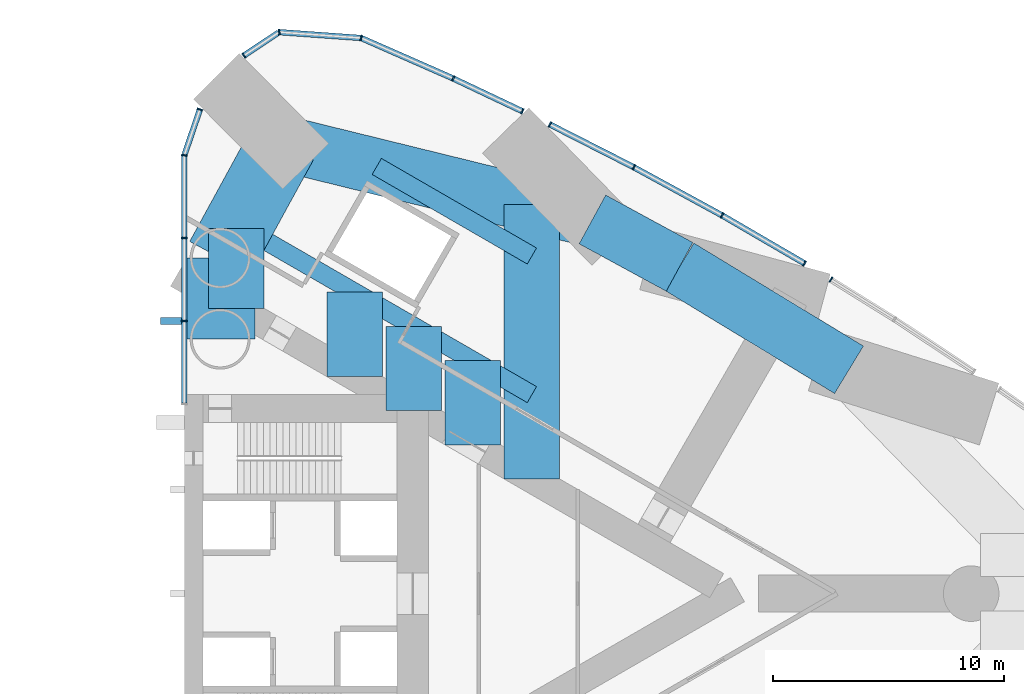
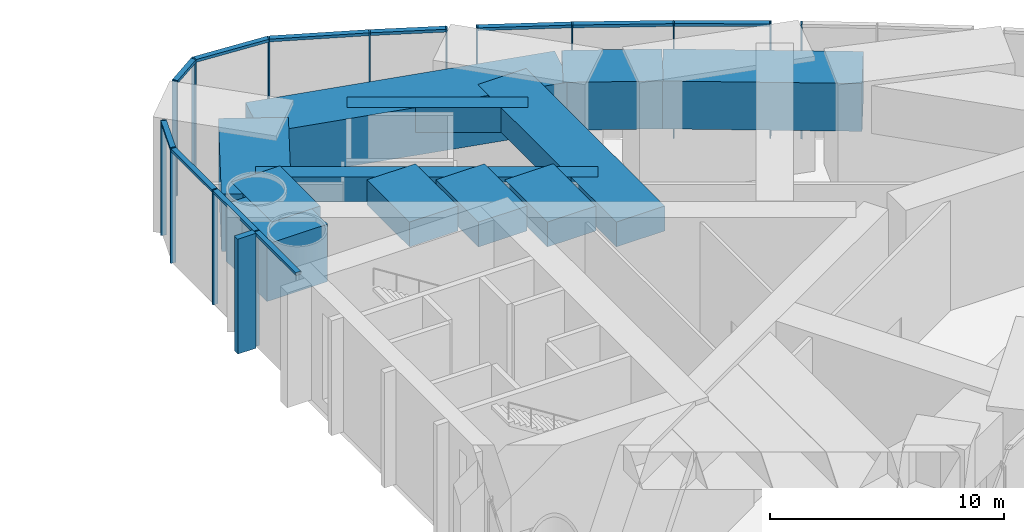
# One storey, part 7 of 16: 26 members, 12 beams, 4 elements without a shape of their own.
"""IFC4 building model written with IfcOpenShell, lengths in metres."""

from ifc_helpers import new_model, si_unit, direction, frame, origin, origin_2d, place, context, subcontext, project, spatial, rectangle, hollow_rectangle, extrude, material, material_profile, profile_set, type_object, element, aggregate, save


model = new_model("IFC4")

# Units and contexts
model_context = context("Model", 3, precision=1e-05, world=origin(), true_north=direction((0.0, 1.0)))
body_context = subcontext(model_context, "Body", "Model", "MODEL_VIEW")
ifc_project = project(units=[si_unit("LENGTHUNIT", "METRE"), si_unit("AREAUNIT", "SQUARE_METRE"), si_unit("VOLUMEUNIT", "CUBIC_METRE"), si_unit("PLANEANGLEUNIT", "RADIAN"), si_unit("MASSUNIT", "GRAM", prefix="KILO")], contexts=[model_context])

# Site, building, storey
site_placement = place(None, origin())
site = spatial("IfcSite", under=ifc_project, at=site_placement, CompositionType="ELEMENT")
building_placement = place(site_placement, origin())
building = spatial("IfcBuilding", under=site, at=building_placement, Name="Lancet Gate Hotel", CompositionType="ELEMENT")
storey_placement = place(building_placement, frame((0.0, 0.0, 146.699951171875)))
storey = spatial("IfcBuildingStorey", under=building, at=storey_placement, Name="L39", CompositionType="ELEMENT", Elevation=146.699951171875)

# Curtain wall, member
ifc_material_1 = material(Name="Aluminium curtain wall", Category="aluminium")
curtain_wall_type = type_object("IfcCurtainWallType", Name="Refuge storey louvred curtain wall", PredefinedType="USERDEFINED", material=ifc_material_1)
curtain_wall_1_placement = place(storey_placement, origin())
curtain_wall_1 = element("IfcCurtainWall", 1, at=curtain_wall_1_placement, inside=storey, type_object=curtain_wall_type, Name="T2 L39 curtain wall 7", ObjectType="LANTERN GLAZING", PredefinedType="USERDEFINED")
ifc_material_2 = material(Name="Aluminium mullion", Category="aluminium")
ifc_material_profile_1 = material_profile(ifc_material_2, rectangle(XDim=0.06494140625, YDim=0.25, at=origin_2d()), Name="MULLION 65x250")
ifc_profile_set_1 = profile_set([ifc_material_profile_1], Name="Aluminium mullion")
member_type_1 = type_object("IfcMemberType", Name="Aluminium mullion 65x250", PredefinedType="MULLION", material=ifc_profile_set_1)
member_1_placement = place(storey_placement, frame((55.4375, 13.5703125, 0.0), z_axis=(0.0, 0.0, 1.0), x_axis=(-0.849317759497, 0.527881940781, 0.0)))
member_1 = element("IfcMember", 2, at=member_1_placement, type_object=member_type_1, Name="T2 L39 curtain wall 7 mullion 3", PredefinedType="MULLION", context=body_context, shape_type="SweptSolid", body=[
    extrude(rectangle(XDim=0.06494140625, YDim=0.25, at=origin_2d()), origin(), (0.0, 0.0, 1.0), 6.0),
])
aggregate(curtain_wall_1, [member_1])

# Curtain wall, members
curtain_wall_2_placement = place(storey_placement, origin())
curtain_wall_2 = element("IfcCurtainWall", 3, at=curtain_wall_2_placement, inside=storey, type_object=curtain_wall_type, Name="T2 L39 curtain wall 8", ObjectType="LANTERN GLAZING", PredefinedType="USERDEFINED")
member_2_placement = place(storey_placement, frame((54.301513671875, 14.268798828125, 0.0), z_axis=(0.0, 0.0, 1.0), x_axis=(-0.863965543499, 0.503550930538, 0.0)))
member_2 = element("IfcMember", 4, at=member_2_placement, type_object=member_type_1, Name="T2 L39 curtain wall 8 mullion 1", PredefinedType="MULLION", context=body_context, shape_type="SweptSolid", body=[
    extrude(rectangle(XDim=0.06494140625, YDim=0.25, at=origin_2d()), origin(), (0.0, 0.0, 1.0), 6.0),
])
member_3_placement = place(storey_placement, frame((50.740478515625, 16.344482421875, 0.0), z_axis=(0.0, 0.0, 1.0), x_axis=(-0.871214532544, 0.490902473292, 0.0)))
member_3 = element("IfcMember", 5, at=member_3_placement, type_object=member_type_1, Name="T2 L39 curtain wall 8 mullion 2", PredefinedType="MULLION", context=body_context, shape_type="SweptSolid", body=[
    extrude(rectangle(XDim=0.06494140625, YDim=0.25, at=origin_2d()), origin(), (0.0, 0.0, 1.0), 6.0),
])
member_4_placement = place(storey_placement, frame((46.923828125, 18.426025390625, 0.0), z_axis=(0.0, 0.0, 1.0), x_axis=(-0.884411005787, 0.466708873757, 0.0)))
member_4 = element("IfcMember", 6, at=member_4_placement, type_object=member_type_1, Name="T2 L39 curtain wall 8 mullion 3", PredefinedType="MULLION", context=body_context, shape_type="SweptSolid", body=[
    extrude(rectangle(XDim=0.06494140625, YDim=0.25, at=origin_2d()), origin(), (0.0, 0.0, 1.0), 6.0),
])
member_5_placement = place(storey_placement, frame((43.29443359375, 20.273681640625, 0.0), z_axis=(0.0, 0.0, 1.0), x_axis=(-0.891159350462, 0.453690436403, 0.0)))
member_5 = element("IfcMember", 7, at=member_5_placement, type_object=member_type_1, Name="T2 L39 curtain wall 8 mullion 4", PredefinedType="MULLION", context=body_context, shape_type="SweptSolid", body=[
    extrude(rectangle(XDim=0.06494140625, YDim=0.25, at=origin_2d()), origin(), (0.0, 0.0, 1.0), 6.0),
])

curtain_wall_3_placement = place(storey_placement, origin())
curtain_wall_3 = element("IfcCurtainWall", 8, at=curtain_wall_3_placement, inside=storey, type_object=curtain_wall_type, Name="T2 L39 curtain wall 9", ObjectType="LANTERN GLAZING", PredefinedType="USERDEFINED")
member_6_placement = place(storey_placement, frame((42.10986328125, 20.843505859375, 0.0), z_axis=(0.0, 0.0, 1.0), x_axis=(-0.903683440096, 0.428201167789, 0.0)))
member_6 = element("IfcMember", 9, at=member_6_placement, type_object=member_type_1, Name="T2 L39 curtain wall 9 mullion 1", PredefinedType="MULLION", context=body_context, shape_type="SweptSolid", body=[
    extrude(rectangle(XDim=0.06494140625, YDim=0.25, at=origin_2d()), origin(), (0.0, 0.0, 1.0), 6.0),
])
member_7_placement = place(storey_placement, frame((39.12109375, 22.259765625, 0.0), z_axis=(0.0, 0.0, 1.0), x_axis=(-0.91047251067, 0.413569591864, 0.0)))
member_7 = element("IfcMember", 10, at=member_7_placement, type_object=member_type_1, Name="T2 L39 curtain wall 9 mullion 2", PredefinedType="MULLION", context=body_context, shape_type="SweptSolid", body=[
    extrude(rectangle(XDim=0.06494140625, YDim=0.25, at=origin_2d()), origin(), (0.0, 0.0, 1.0), 6.0),
])
member_8_placement = place(storey_placement, frame((35.141357421875, 24.009033203125, 0.0), z_axis=(0.0, 0.0, 1.0), x_axis=(-0.966317378791, 0.257353304711, 0.0)))
member_8 = element("IfcMember", 11, at=member_8_placement, type_object=member_type_1, Name="T2 L39 curtain wall 9 mullion 3", PredefinedType="MULLION", context=body_context, shape_type="SweptSolid", body=[
    extrude(rectangle(XDim=0.06494140625, YDim=0.25, at=origin_2d()), origin(), (0.0, 0.0, 1.0), 6.0),
])
member_9_placement = place(storey_placement, frame((31.60205078125, 24.26220703125, 0.0), z_axis=(0.0, 0.0, 1.0), x_axis=(-0.988919080687, -0.148455555147, 0.0)))
member_9 = element("IfcMember", 12, at=member_9_placement, type_object=member_type_1, Name="T2 L39 curtain wall 9 mullion 4", PredefinedType="MULLION", context=body_context, shape_type="SweptSolid", body=[
    extrude(rectangle(XDim=0.06494140625, YDim=0.25, at=origin_2d()), origin(), (0.0, 0.0, 1.0), 6.0),
])
member_10_placement = place(storey_placement, frame((30.072021484375, 23.248046875, 0.0), z_axis=(0.0, 0.0, 1.0), x_axis=(-0.833464516611, -0.552572981198, 0.0)))
member_10 = element("IfcMember", 13, at=member_10_placement, type_object=member_type_1, Name="T2 L39 curtain wall 9 mullion 5", PredefinedType="MULLION", context=body_context, shape_type="SweptSolid", body=[
    extrude(rectangle(XDim=0.06494140625, YDim=0.25, at=origin_2d()), origin(), (0.0, 0.0, 1.0), 6.0),
])

curtain_wall_4_placement = place(storey_placement, origin())
curtain_wall_4 = element("IfcCurtainWall", 14, at=curtain_wall_4_placement, inside=storey, type_object=curtain_wall_type, Name="T2 L39 curtain wall 10", ObjectType="LANTERN GLAZING", PredefinedType="USERDEFINED")
member_11_placement = place(storey_placement, frame((28.176025390625, 20.927001953125, 0.0), z_axis=(0.0, 0.0, 1.0), x_axis=(-0.32257568891, -0.946543673015, 0.0)))
member_11 = element("IfcMember", 15, at=member_11_placement, type_object=member_type_1, Name="T2 L39 curtain wall 10 mullion 1", PredefinedType="MULLION", context=body_context, shape_type="SweptSolid", body=[
    extrude(rectangle(XDim=0.06494140625, YDim=0.25, at=origin_2d()), origin(), (0.0, 0.0, 1.0), 6.0),
])
member_12_placement = place(storey_placement, frame((27.5, 18.94287109375, 0.0), z_axis=(0.0, 0.0, 1.0), x_axis=(-0.120612385023, -0.992699678946, 0.0)))
member_12 = element("IfcMember", 16, at=member_12_placement, type_object=member_type_1, Name="T2 L39 curtain wall 10 mullion 2", PredefinedType="MULLION", context=body_context, shape_type="SweptSolid", body=[
    extrude(rectangle(XDim=0.06494140625, YDim=0.25, at=origin_2d()), origin(), (0.0, 0.0, 1.0), 6.0),
])
member_13_placement = place(storey_placement, frame((27.5, 15.362060546875, 0.0), z_axis=(0.0, 0.0, 1.0), x_axis=(0.0, -1.0, 0.0)))
member_13 = element("IfcMember", 17, at=member_13_placement, type_object=member_type_1, Name="T2 L39 curtain wall 10 mullion 3", PredefinedType="MULLION", context=body_context, shape_type="SweptSolid", body=[
    extrude(rectangle(XDim=0.06494140625, YDim=0.25, at=origin_2d()), origin(), (0.0, 0.0, 1.0), 6.0),
])
member_14_placement = place(storey_placement, frame((27.5, 11.781005859375, 0.0), z_axis=(0.0, 0.0, 1.0), x_axis=(0.0, -1.0, 0.0)))
member_14 = element("IfcMember", 18, at=member_14_placement, type_object=member_type_1, Name="T2 L39 curtain wall 10 mullion 4", PredefinedType="MULLION", context=body_context, shape_type="SweptSolid", body=[
    extrude(rectangle(XDim=0.06494140625, YDim=0.25, at=origin_2d()), origin(), (0.0, 0.0, 1.0), 6.0),
])

# Member
ifc_material_3 = material(Name="Aluminium transom", Category="aluminium")
ifc_material_profile_2 = material_profile(ifc_material_3, rectangle(XDim=0.25, YDim=0.14990234375, at=origin_2d()), Name="TRANSOM 250x150")
ifc_profile_set_2 = profile_set([ifc_material_profile_2], Name="Aluminium transom")
member_type_2 = type_object("IfcMemberType", Name="Aluminium transom 250x150", PredefinedType="USERDEFINED", material=ifc_profile_set_2)
member_15_placement = place(storey_placement, frame((54.2734375, 14.28515625, 5.925048828125), z_axis=(-0.8639709212, 0.503541703656, 0.0), x_axis=(-0.503541703656, -0.8639709212, 0.0)))
member_15 = element("IfcMember", 19, at=member_15_placement, type_object=member_type_2, Name="T2 L39 curtain wall 8 transom 1", ObjectType="TRANSOM", PredefinedType="USERDEFINED", context=body_context, shape_type="SweptSolid", body=[
    extrude(rectangle(XDim=0.25, YDim=0.14990234375, at=origin_2d()), origin(), (0.0, 0.0, 1.0), 4.056640625),
])

member_16_placement = place(storey_placement, frame((50.7119140625, 16.35986328125, 5.925048828125), z_axis=(-0.877906466435, 0.478832158685, 0.0), x_axis=(-0.478832158685, -0.877906466435, 0.0)))
member_16 = element("IfcMember", 20, at=member_16_placement, type_object=member_type_2, Name="T2 L39 curtain wall 8 transom 2", ObjectType="TRANSOM", PredefinedType="USERDEFINED", context=body_context, shape_type="SweptSolid", body=[
    extrude(rectangle(XDim=0.25, YDim=0.14990234375, at=origin_2d()), origin(), (0.0, 0.0, 1.0), 4.282470703125),
])

member_17_placement = place(storey_placement, frame((46.89501953125, 18.440673828125, 5.925048828125), z_axis=(-0.891175206203, 0.453659290491, 0.0), x_axis=(-0.453659290491, -0.891175206203, 0.0)))
member_17 = element("IfcMember", 21, at=member_17_placement, type_object=member_type_2, Name="T2 L39 curtain wall 8 transom 3", ObjectType="TRANSOM", PredefinedType="USERDEFINED", context=body_context, shape_type="SweptSolid", body=[
    extrude(rectangle(XDim=0.25, YDim=0.14990234375, at=origin_2d()), origin(), (0.0, 0.0, 1.0), 4.007568359375),
])

aggregate(curtain_wall_2, [member_2, member_3, member_4, member_5, member_15, member_16, member_17])

member_18_placement = place(storey_placement, frame((42.08056640625, 20.857421875, 5.925048828125), z_axis=(-0.903670364691, 0.42822876127, 0.0), x_axis=(-0.42822876127, -0.903670364691, 0.0)))
member_18 = element("IfcMember", 22, at=member_18_placement, type_object=member_type_2, Name="T2 L39 curtain wall 9 transom 1", ObjectType="TRANSOM", PredefinedType="USERDEFINED", context=body_context, shape_type="SweptSolid", body=[
    extrude(rectangle(XDim=0.25, YDim=0.14990234375, at=origin_2d()), origin(), (0.0, 0.0, 1.0), 3.2421875),
])

member_19_placement = place(storey_placement, frame((39.09130859375, 22.27294921875, 5.925048828125), z_axis=(-0.915484772266, 0.402352621155, 0.0), x_axis=(-0.402352621155, -0.915484772266, 0.0)))
member_19 = element("IfcMember", 23, at=member_19_placement, type_object=member_type_2, Name="T2 L39 curtain wall 9 transom 2", ObjectType="TRANSOM", PredefinedType="USERDEFINED", context=body_context, shape_type="SweptSolid", body=[
    extrude(rectangle(XDim=0.25, YDim=0.14990234375, at=origin_2d()), origin(), (0.0, 0.0, 1.0), 4.281982421875),
])

member_20_placement = place(storey_placement, frame((35.10888671875, 24.01123046875, 5.925048828125), z_axis=(-0.997446232115, 0.071421383636, 0.0), x_axis=(-0.071421383636, -0.997446232115, 0.0)))
member_20 = element("IfcMember", 24, at=member_20_placement, type_object=member_type_2, Name="T2 L39 curtain wall 9 transom 3", ObjectType="TRANSOM", PredefinedType="USERDEFINED", context=body_context, shape_type="SweptSolid", body=[
    extrude(rectangle(XDim=0.25, YDim=0.14990234375, at=origin_2d()), origin(), (0.0, 0.0, 1.0), 3.483154296875),
])

member_21_placement = place(storey_placement, frame((31.574951171875, 24.244384765625, 5.925048828125), z_axis=(-0.833447594592, -0.552598504404, 0.0), x_axis=(0.552598504404, -0.833447594592, 0.0)))
member_21 = element("IfcMember", 25, at=member_21_placement, type_object=member_type_2, Name="T2 L39 curtain wall 9 transom 4", ObjectType="TRANSOM", PredefinedType="USERDEFINED", context=body_context, shape_type="SweptSolid", body=[
    extrude(rectangle(XDim=0.25, YDim=0.14990234375, at=origin_2d()), origin(), (0.0, 0.0, 1.0), 1.770751953125),
])

aggregate(curtain_wall_3, [member_6, member_7, member_8, member_9, member_10, member_18, member_19, member_20, member_21])

member_22_placement = place(storey_placement, frame((28.165771484375, 20.896240234375, 5.925048828125), z_axis=(-0.322602955748, -0.946534380222, 0.0), x_axis=(0.946534380222, -0.322602955748, 0.0)))
member_22 = element("IfcMember", 26, at=member_22_placement, type_object=member_type_2, Name="T2 L39 curtain wall 10 transom 1", ObjectType="TRANSOM", PredefinedType="USERDEFINED", context=body_context, shape_type="SweptSolid", body=[
    extrude(rectangle(XDim=0.25, YDim=0.14990234375, at=origin_2d()), origin(), (0.0, 0.0, 1.0), 2.03125),
])

member_23_placement = place(storey_placement, frame((27.5, 18.910400390625, 5.925048828125), z_axis=(0.0, -1.0, 0.0), x_axis=(1.0, 0.0, 0.0)))
member_23 = element("IfcMember", 27, at=member_23_placement, type_object=member_type_2, Name="T2 L39 curtain wall 10 transom 2", ObjectType="TRANSOM", PredefinedType="USERDEFINED", context=body_context, shape_type="SweptSolid", body=[
    extrude(rectangle(XDim=0.25, YDim=0.14990234375, at=origin_2d()), origin(), (0.0, 0.0, 1.0), 3.515869140625),
])

member_24_placement = place(storey_placement, frame((27.5, 15.329345703125, 5.925048828125), z_axis=(0.0, -1.0, 0.0), x_axis=(1.0, 0.0, 0.0)))
member_24 = element("IfcMember", 28, at=member_24_placement, type_object=member_type_2, Name="T2 L39 curtain wall 10 transom 3", ObjectType="TRANSOM", PredefinedType="USERDEFINED", context=body_context, shape_type="SweptSolid", body=[
    extrude(rectangle(XDim=0.25, YDim=0.14990234375, at=origin_2d()), origin(), (0.0, 0.0, 1.0), 3.515869140625),
])

member_25_placement = place(storey_placement, frame((27.5, 11.74853515625, 5.925048828125), z_axis=(0.0, -1.0, 0.0), x_axis=(1.0, 0.0, 0.0)))
member_25 = element("IfcMember", 29, at=member_25_placement, type_object=member_type_2, Name="T2 L39 curtain wall 10 transom 4", ObjectType="TRANSOM", PredefinedType="USERDEFINED", context=body_context, shape_type="SweptSolid", body=[
    extrude(rectangle(XDim=0.25, YDim=0.14990234375, at=origin_2d()), origin(), (0.0, 0.0, 1.0), 3.51611328125),
])

ifc_material_4 = material(Name="Precast concrete C50/60", Category="concrete")
ifc_material_profile_3 = material_profile(ifc_material_4, rectangle(XDim=0.300048828125, YDim=0.89990234375, at=origin_2d()), Name="FIN 300x900")
ifc_profile_set_3 = profile_set([ifc_material_profile_3], Name="Precast concrete C50/60")
member_type_3 = type_object("IfcMemberType", Name="Exposed concrete fin 300x900", PredefinedType="USERDEFINED", material=ifc_profile_set_3)
member_26_placement = place(storey_placement, frame((26.925048828125, 11.781005859375, 0.0), z_axis=(0.0, 0.0, 1.0), x_axis=(0.0, -1.0, 0.0)))
member_26 = element("IfcMember", 30, at=member_26_placement, type_object=member_type_3, Name="T2 L39 curtain wall 10 fin 4", ObjectType="FIN", PredefinedType="USERDEFINED", context=body_context, shape_type="SweptSolid", body=[
    extrude(rectangle(XDim=0.300048828125, YDim=0.89990234375, at=origin_2d()), origin(), (0.0, 0.0, 1.0), 6.0),
])

aggregate(curtain_wall_4, [member_11, member_12, member_13, member_14, member_26, member_22, member_23, member_24, member_25])

# Beams
ifc_material_5 = material(Name="Concrete C50/60", Category="concrete")
ifc_material_profile_4 = material_profile(ifc_material_5, rectangle(XDim=2.39990234375, YDim=1.300048828125, at=origin_2d()), Name="RC 2400x1300")
ifc_profile_set_4 = profile_set([ifc_material_profile_4], Name="Concrete C50/60")
beam_type_1 = type_object("IfcBeamType", Name="Floor beam RC 2400x1300", PredefinedType="BEAM", material=ifc_profile_set_4)
beam_1_placement = place(storey_placement, frame((29.753173828125, 12.325927734375, 5.10009765625), z_axis=(0.0, 1.0, 0.0), x_axis=(-1.0, 0.0, 0.0)))
element("IfcBeam", 31, at=beam_1_placement, inside=storey, type_object=beam_type_1, Name="T2 floor beam F01N L39", PredefinedType="BEAM", context=body_context, shape_type="SweptSolid", body=[
    extrude(rectangle(XDim=2.39990234375, YDim=1.300048828125, at=origin_2d()), origin(), (0.0, 0.0, 1.0), 3.460205078125),
])
beam_2_placement = place(storey_placement, frame((42.51904296875, 4.95556640625, 5.10009765625), z_axis=(0.0, 1.0, 0.0), x_axis=(-1.0, 0.0, 0.0)))
element("IfcBeam", 32, at=beam_2_placement, inside=storey, type_object=beam_type_1, Name="T2 floor beam F09N L39", PredefinedType="BEAM", context=body_context, shape_type="SweptSolid", body=[
    extrude(rectangle(XDim=2.39990234375, YDim=1.300048828125, at=origin_2d()), origin(), (0.0, 0.0, 1.0), 11.85546875),
])
beam_3_placement = place(storey_placement, frame((34.859619140625, 9.377685546875, 5.10009765625), z_axis=(0.0, 1.0, 0.0), x_axis=(-1.0, 0.0, 0.0)))
element("IfcBeam", 33, at=beam_3_placement, inside=storey, type_object=beam_type_1, Name="T2 floor beam F03NA L39", PredefinedType="BEAM", context=body_context, shape_type="SweptSolid", body=[
    extrude(rectangle(XDim=2.39990234375, YDim=1.300048828125, at=origin_2d()), origin(), (0.0, 0.0, 1.0), 3.645751953125),
])
beam_4_placement = place(storey_placement, frame((37.412841796875, 7.903564453125, 5.10009765625), z_axis=(0.0, 1.0, 0.0), x_axis=(-1.0, 0.0, 0.0)))
element("IfcBeam", 34, at=beam_4_placement, inside=storey, type_object=beam_type_1, Name="T2 floor beam F05NA L39", PredefinedType="BEAM", context=body_context, shape_type="SweptSolid", body=[
    extrude(rectangle(XDim=2.39990234375, YDim=1.300048828125, at=origin_2d()), origin(), (0.0, 0.0, 1.0), 3.6455078125),
])
beam_5_placement = place(storey_placement, frame((39.9658203125, 6.429443359375, 5.10009765625), z_axis=(0.0, 1.0, 0.0), x_axis=(-1.0, 0.0, 0.0)))
element("IfcBeam", 35, at=beam_5_placement, inside=storey, type_object=beam_type_1, Name="T2 floor beam F07NA L39", PredefinedType="BEAM", context=body_context, shape_type="SweptSolid", body=[
    extrude(rectangle(XDim=2.39990234375, YDim=1.300048828125, at=origin_2d()), origin(), (0.0, 0.0, 1.0), 3.64501953125),
])
ifc_material_6 = material(Name="Concrete C50/60", Category="concrete")
ifc_material_profile_5 = material_profile(ifc_material_6, rectangle(XDim=2.39990234375, YDim=2.5, at=origin_2d()), Name="RC 2400x2500")
ifc_profile_set_5 = profile_set([ifc_material_profile_5], Name="Concrete C50/60")
beam_type_2 = type_object("IfcBeamType", Name="Tie ring beam RC 2400x2500", PredefinedType="SPANDREL", material=ifc_profile_set_5)
beam_6_placement = place(storey_placement, frame((56.220947265625, 9.67236328125, 4.5), z_axis=(-0.854692251129, 0.519135007353, 0.0), x_axis=(-0.519135007353, -0.854692251129, 0.0)))
element("IfcBeam", 36, at=beam_6_placement, inside=storey, type_object=beam_type_2, Name="T2 tie ring beam RG1 L39", PredefinedType="SPANDREL", context=body_context, shape_type="SweptSolid", body=[
    extrude(rectangle(XDim=2.39990234375, YDim=2.5, at=origin_2d()), origin(), (0.0, 0.0, 1.0), 8.568603515625),
])
beam_7_placement = place(storey_placement, frame((48.8974609375, 14.12060546875, 4.5), z_axis=(-0.878404597051, 0.477917737566, 0.0), x_axis=(-0.477917737566, -0.878404597051, 0.0)))
element("IfcBeam", 37, at=beam_7_placement, inside=storey, type_object=beam_type_2, Name="T2 tie ring beam RG1 L39", PredefinedType="SPANDREL", context=body_context, shape_type="SweptSolid", body=[
    extrude(rectangle(XDim=2.39990234375, YDim=2.5, at=origin_2d()), origin(), (0.0, 0.0, 1.0), 4.284912109375),
])
beam_8_placement = place(storey_placement, frame((45.133544921875, 16.16845703125, 4.5), z_axis=(-0.971093253227, 0.238700426344, 0.0), x_axis=(-0.238700426344, -0.971093253227, 0.0)))
element("IfcBeam", 38, at=beam_8_placement, inside=storey, type_object=beam_type_2, Name="T2 tie ring beam RG1 L39", PredefinedType="SPANDREL", context=body_context, shape_type="SweptSolid", body=[
    extrude(rectangle(XDim=2.39990234375, YDim=2.5, at=origin_2d()), origin(), (0.0, 0.0, 1.0), 13.77197265625),
])
ifc_material_7 = material(Name="Concrete C50/60", Category="concrete")
ifc_material_profile_6 = material_profile(ifc_material_7, rectangle(XDim=3.0, YDim=3.0, at=origin_2d()), Name="RC 3000x3000")
ifc_profile_set_6 = profile_set([ifc_material_profile_6], Name="Concrete C50/60")
beam_type_3 = type_object("IfcBeamType", Name="Tie ring beam RC 3000x3000", PredefinedType="SPANDREL", material=ifc_profile_set_6)
beam_9_placement = place(storey_placement, frame((29.050048828125, 11.0, 4.25), z_axis=(0.0, 1.0, 0.0), x_axis=(-1.0, 0.0, 0.0)))
element("IfcBeam", 39, at=beam_9_placement, inside=storey, type_object=beam_type_3, Name="T2 tie ring beam RG4 L39", PredefinedType="SPANDREL", context=body_context, shape_type="SweptSolid", body=[
    extrude(rectangle(XDim=3.0, YDim=3.0, at=origin_2d()), origin(), (0.0, 0.0, 1.0), 3.5),
])
beam_10_placement = place(storey_placement, frame((29.050048828125, 14.5, 4.25), z_axis=(0.479745274406, 0.877407813782, 0.0), x_axis=(-0.877407813782, 0.479745274406, 0.0)))
element("IfcBeam", 40, at=beam_10_placement, inside=storey, type_object=beam_type_3, Name="T2 tie ring beam RG4 L39", PredefinedType="SPANDREL", context=body_context, shape_type="SweptSolid", body=[
    extrude(rectangle(XDim=3.0, YDim=3.0, at=origin_2d()), origin(), (0.0, 0.0, 1.0), 5.648193359375),
])
ifc_material_8 = material(Name="Steel S460QL", Category="steel")
ifc_material_profile_7 = material_profile(ifc_material_8, hollow_rectangle(XDim=0.800048828125, YDim=1.300048828125, WallThickness=0.080078125, at=origin_2d()), Name="BOX 1300x800x80")
ifc_profile_set_7 = profile_set([ifc_material_profile_7], Name="Steel S460QL")
beam_type_4 = type_object("IfcBeamType", Name="Trimmer beam BOX 1300x800x80", PredefinedType="BEAM", material=ifc_profile_set_7)
beam_11_placement = place(storey_placement, frame((29.83056640625, 15.927490234375, 5.10009765625), z_axis=(0.86597524208, -0.500086872557, 0.0), x_axis=(0.500086872557, 0.86597524208, 0.0)))
element("IfcBeam", 41, at=beam_11_placement, inside=storey, type_object=beam_type_4, Name="T2 trimmer beam TR01N L39", PredefinedType="BEAM", context=body_context, shape_type="SweptSolid", body=[
    extrude(hollow_rectangle(XDim=0.800048828125, YDim=1.300048828125, WallThickness=0.080078125, at=origin_2d()), origin(), (0.0, 0.0, 1.0), 14.65234375),
])
beam_12_placement = place(storey_placement, frame((35.8173828125, 18.45849609375, 5.10009765625), z_axis=(0.865974376179, -0.500088371992, 0.0), x_axis=(0.500088371992, 0.865974376179, 0.0)))
element("IfcBeam", 42, at=beam_12_placement, inside=storey, type_object=beam_type_4, Name="T2 trimmer beam TR02N L39", PredefinedType="BEAM", context=body_context, shape_type="SweptSolid", body=[
    extrude(hollow_rectangle(XDim=0.800048828125, YDim=1.300048828125, WallThickness=0.080078125, at=origin_2d()), origin(), (0.0, 0.0, 1.0), 7.73876953125),
])

save(model, "model.ifc")
